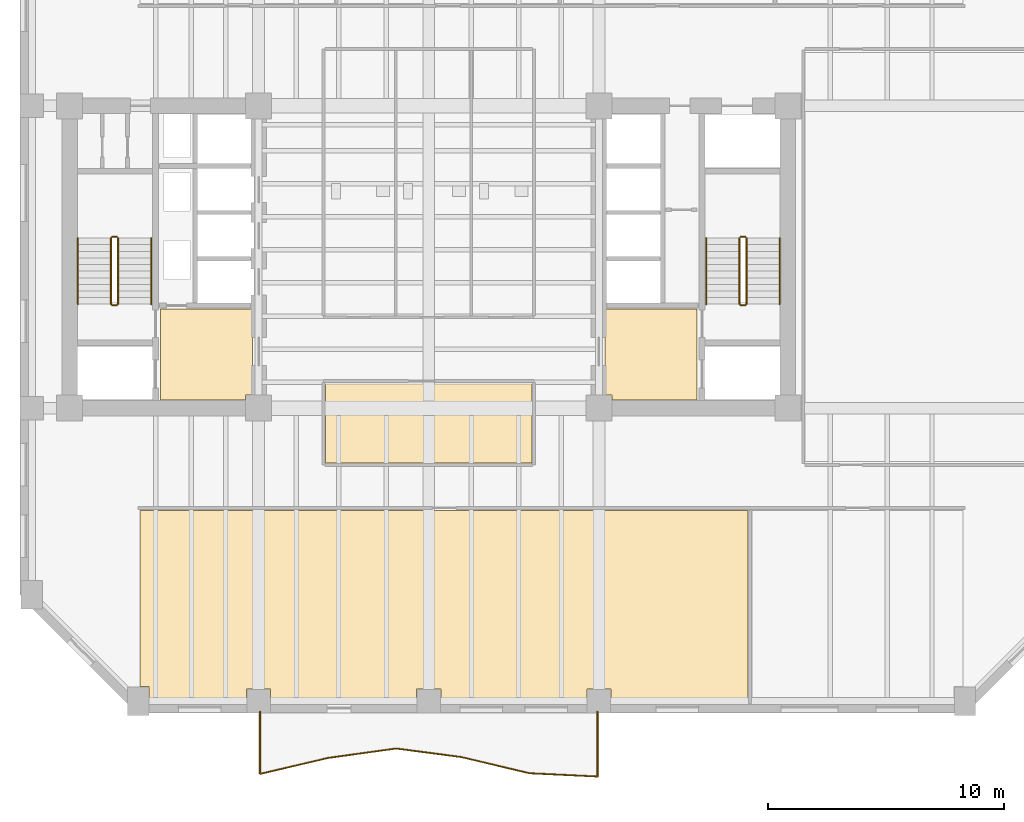
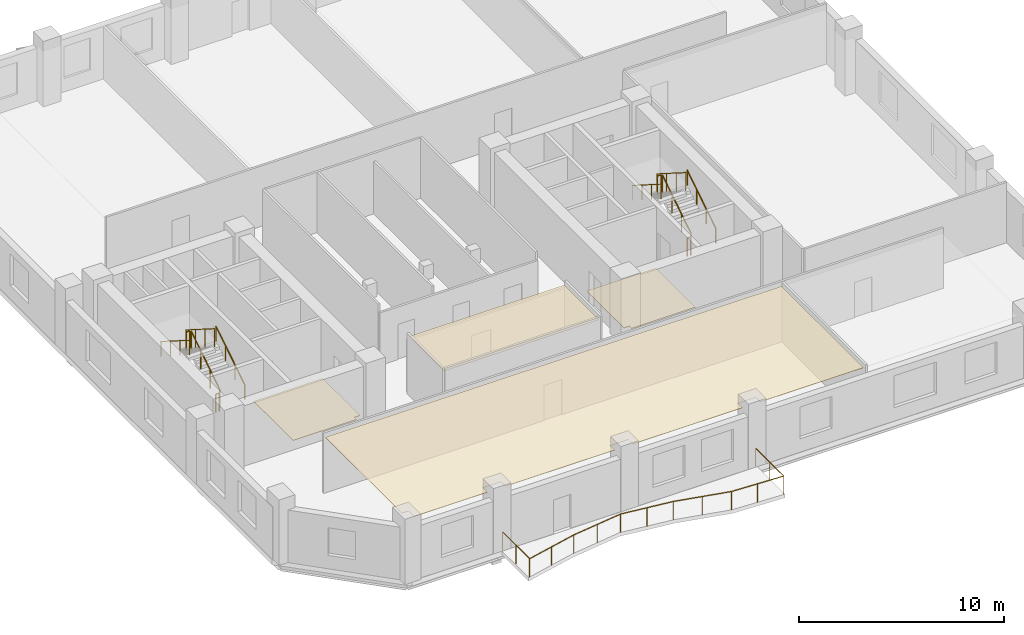
# One storey, part 6 of 8: 13 railings, 4 coverings.
"""IFC4 building model written with IfcOpenShell, lengths in metres."""

from ifc_helpers import new_model, si_unit, direction, frame, origin, origin_2d, place, context, subcontext, project, spatial, polyline, circle, outline, extrude, material, layer, layer_set, type_object, element, save


model = new_model("IFC4")

# Units and contexts
model_context = context("Model", 3, precision=1e-05, world=origin(), true_north=direction((0.0, 1.0)))
body_context = subcontext(model_context, "Body", "Model", "MODEL_VIEW")
ifc_project = project(units=[si_unit("LENGTHUNIT", "METRE"), si_unit("AREAUNIT", "SQUARE_METRE"), si_unit("VOLUMEUNIT", "CUBIC_METRE"), si_unit("PLANEANGLEUNIT", "RADIAN"), si_unit("MASSUNIT", "GRAM", prefix="KILO")], contexts=[model_context])

# Site, building, storey
site_placement = place(None, origin())
site = spatial("IfcSite", under=ifc_project, at=site_placement, CompositionType="ELEMENT")
building_placement = place(site_placement, origin())
building = spatial("IfcBuilding", under=site, at=building_placement, Name="Kranthara Brick Stack", CompositionType="ELEMENT")
storey_placement = place(building_placement, frame((0.0, 0.0, 75.0)))
storey = spatial("IfcBuildingStorey", under=building, at=storey_placement, Name="L18", CompositionType="ELEMENT", Elevation=75.0)

# Coverings
ifc_material_1 = material(Name="Perforated mineral-fibre acoustic ceiling tile", Category="other")
ifc_layer_1 = layer(ifc_material_1, 0.02490234375)
ifc_layer_set_1 = layer_set([ifc_layer_1], Name="Perforated mineral-fibre acoustic ceiling tile")
covering_type_1 = type_object("IfcCoveringType", Name="COV-CEIL-ACOUSTIC", PredefinedType="CEILING", material=ifc_layer_set_1)
covering_1_placement = place(storey_placement, frame((0.0, 0.0, 3.330078125)))
element("IfcCovering", 1, at=covering_1_placement, inside=storey, type_object=covering_type_1, Name="L18 L18 Central Executive Briefing Room Acoustic Ceiling", PredefinedType="CEILING", context=body_context, shape_type="SweptSolid", body=[
    extrude(outline(polyline([(32.3701171875, 18.47998046875), (32.3701171875, 21.8798828125), (23.6298828125, 21.8798828125), (23.6298828125, 18.47998046875), (32.3701171875, 18.47998046875)])), origin(), (0.0, 0.0, 1.0), 0.02490234375),
])
covering_2_placement = place(storey_placement, frame((0.0, 0.0, 3.330078125)))
element("IfcCovering", 2, at=covering_2_placement, inside=storey, type_object=covering_type_1, Name="L18 L18 Open Plan Workspace 1 Acoustic Ceiling", PredefinedType="CEILING", context=body_context, shape_type="SweptSolid", body=[
    extrude(outline(polyline([(35.7099609375, 8.469970703125), (35.7099609375, 8.909912109375), (34.68994140625, 8.909912109375), (34.68994140625, 8.469970703125), (28.510009765625, 8.469970703125), (28.510009765625, 8.909912109375), (27.489990234375, 8.909912109375), (27.489990234375, 8.469970703125), (21.31005859375, 8.469970703125), (21.31005859375, 8.909912109375), (20.2900390625, 8.909912109375), (20.2900390625, 8.469970703125), (16.159912109375, 8.469970703125), (16.159912109375, 9.010009765625), (15.780029296875, 9.010009765625), (15.780029296875, 16.47998046875), (41.52001953125, 16.47998046875), (41.52001953125, 8.469970703125), (35.7099609375, 8.469970703125)])), origin(), (0.0, 0.0, 1.0), 0.02490234375),
])
ifc_material_2 = material(Name="Honed terrazzo and porcelain floor finish", Category="stone")
ifc_layer_2 = layer(ifc_material_2, 0.030029296875)
ifc_layer_set_2 = layer_set([ifc_layer_2], Name="Honed terrazzo and porcelain floor finish")
covering_type_2 = type_object("IfcCoveringType", Name="COV-FLOR-STONE", PredefinedType="FLOORING", material=ifc_layer_set_2)
covering_3_placement = place(storey_placement, origin())
element("IfcCovering", 3, at=covering_3_placement, inside=storey, type_object=covering_type_2, Name="L18 Lift Lobby Stone Flooring", PredefinedType="FLOORING", context=body_context, shape_type="SweptSolid", body=[
    extrude(outline(polyline([(16.64990234375, 21.14990234375), (16.64990234375, 25.0), (20.550048828125, 25.0), (20.550048828125, 21.360107421875), (20.239990234375, 21.360107421875), (20.239990234375, 21.14990234375), (16.64990234375, 21.14990234375)])), origin(), (0.0, 0.0, 1.0), 0.030029296875),
])
covering_4_placement = place(storey_placement, origin())
element("IfcCovering", 4, at=covering_4_placement, inside=storey, type_object=covering_type_2, Name="L18 Lift Lobby Stone Flooring", PredefinedType="FLOORING", context=body_context, shape_type="SweptSolid", body=[
    extrude(outline(polyline([(35.449951171875, 25.0), (39.35009765625, 25.0), (39.35009765625, 21.14990234375), (35.760009765625, 21.14990234375), (35.760009765625, 21.360107421875), (35.449951171875, 21.360107421875), (35.449951171875, 25.0)])), origin(), (0.0, 0.0, 1.0), 0.030029296875),
])

# Railings
ifc_material_3 = material(Name="Bronze anodised aluminium and laminated glass balustrade", Category="aluminium")
railing_type_1 = type_object("IfcRailingType", Name="RL-BALC-1120", PredefinedType="BALUSTRADE", material=ifc_material_3)
railing_1_placement = place(storey_placement, frame((35.139892578125, 7.9599609375, 0.0)))
element("IfcRailing", 5, at=railing_1_placement, inside=storey, type_object=railing_type_1, Name="L18 South Rippling Balcony Balustrade", PredefinedType="BALUSTRADE", context=body_context, shape_type="SweptSolid", body=[
    extrude(circle(Radius=0.02392578125, at=origin_2d()), frame((0.0, 0.0, 1.09619140625), z_axis=(0.000266193424, -0.999999964571, 0.0), x_axis=(0.999999964571, 0.000266193424, 0.0)), (0.0, 0.0, 1.0), 2.75146484375),
    extrude(circle(Radius=0.02392578125, at=origin_2d()), frame((0.000732421875, -2.75146484375, 1.09619140625), z_axis=(-0.998850441051, 0.047935335733, 0.0), x_axis=(-0.047935335733, -0.998850441051, 0.0)), (0.0, 0.0, 1.0), 2.8828125),
    extrude(circle(Radius=0.02392578125, at=origin_2d()), frame((-2.878662109375, -2.61328125, 1.09619140625), z_axis=(-0.972807099391, 0.23161681151, 0.0), x_axis=(-0.23161681151, -0.972807099391, 0.0)), (0.0, 0.0, 1.0), 2.9609375),
    extrude(circle(Radius=0.02392578125, at=origin_2d()), frame((-5.759033203125, -1.927490234375, 1.09619140625), z_axis=(-0.991546550264, 0.129751449548, 0.0), x_axis=(-0.129751449548, -0.991546550264, 0.0)), (0.0, 0.0, 1.0), 2.78466796875),
    extrude(circle(Radius=0.02392578125, at=origin_2d()), frame((-8.520263671875, -1.566162109375, 1.09619140625), z_axis=(-0.99052879215, -0.137305178056, 0.0), x_axis=(0.137305178056, -0.99052879215, 0.0)), (0.0, 0.0, 1.0), 2.9072265625),
    extrude(circle(Radius=0.02392578125, at=origin_2d()), frame((-11.39990234375, -1.96533203125, 1.09619140625), z_axis=(-0.973527437764, -0.228570181608, 0.0), x_axis=(0.228570181608, -0.973527437764, 0.0)), (0.0, 0.0, 1.0), 2.958740234375),
    extrude(circle(Radius=0.02392578125, at=origin_2d()), frame((-14.2802734375, -2.6416015625, 1.09619140625), z_axis=(0.00018484288, 0.999999982917, 0.0), x_axis=(-0.999999982917, 0.00018484288, 0.0)), (0.0, 0.0, 1.0), 2.6416015625),
    extrude(circle(Radius=0.02099609375, at=origin_2d()), origin(), (0.0, 0.0, 1.0), 1.072021484375),
    extrude(circle(Radius=0.02099609375, at=origin_2d()), frame((0.00048828125, -1.375732421875, 0.0)), (0.0, 0.0, 1.0), 1.072021484375),
    extrude(circle(Radius=0.02099609375, at=origin_2d()), frame((0.000732421875, -2.75146484375, 0.0)), (0.0, 0.0, 1.0), 1.072021484375),
    extrude(circle(Radius=0.02099609375, at=origin_2d()), frame((-1.43896484375, -2.682373046875, 0.0)), (0.0, 0.0, 1.0), 1.072021484375),
    extrude(circle(Radius=0.02099609375, at=origin_2d()), frame((-2.878662109375, -2.61328125, 0.0)), (0.0, 0.0, 1.0), 1.072021484375),
    extrude(circle(Radius=0.02099609375, at=origin_2d()), frame((-4.31884765625, -2.2705078125, 0.0)), (0.0, 0.0, 1.0), 1.072021484375),
    extrude(circle(Radius=0.02099609375, at=origin_2d()), frame((-5.759033203125, -1.927490234375, 0.0)), (0.0, 0.0, 1.0), 1.072021484375),
    extrude(circle(Radius=0.02099609375, at=origin_2d()), frame((-7.1396484375, -1.746826171875, 0.0)), (0.0, 0.0, 1.0), 1.072021484375),
    extrude(circle(Radius=0.02099609375, at=origin_2d()), frame((-8.520263671875, -1.566162109375, 0.0)), (0.0, 0.0, 1.0), 1.072021484375),
    extrude(circle(Radius=0.02099609375, at=origin_2d()), frame((-9.9599609375, -1.765625, 0.0)), (0.0, 0.0, 1.0), 1.072021484375),
    extrude(circle(Radius=0.02099609375, at=origin_2d()), frame((-11.39990234375, -1.96533203125, 0.0)), (0.0, 0.0, 1.0), 1.072021484375),
    extrude(circle(Radius=0.02099609375, at=origin_2d()), frame((-12.840087890625, -2.303466796875, 0.0)), (0.0, 0.0, 1.0), 1.072021484375),
    extrude(circle(Radius=0.02099609375, at=origin_2d()), frame((-14.2802734375, -2.6416015625, 0.0)), (0.0, 0.0, 1.0), 1.072021484375),
    extrude(circle(Radius=0.02099609375, at=origin_2d()), frame((-14.280029296875, -1.32080078125, 0.0)), (0.0, 0.0, 1.0), 1.072021484375),
    extrude(circle(Radius=0.02099609375, at=origin_2d()), frame((-14.27978515625, 0.0, 0.0)), (0.0, 0.0, 1.0), 1.072021484375),
])
ifc_material_4 = material(Name="Painted galvanized steel stair guardrail", Category="steel")
railing_type_2 = type_object("IfcRailingType", Name="RL-STAIR-GUARD-1100", PredefinedType="GUARDRAIL", material=ifc_material_4)
railing_2_placement = place(storey_placement, frame((14.85009765625, 25.199951171875, 0.17724609375)))
element("IfcRailing", 6, at=railing_2_placement, inside=storey, type_object=railing_type_2, Name="L18 ST01 stair guard 1", PredefinedType="GUARDRAIL", context=body_context, shape_type="SweptSolid", body=[
    extrude(circle(Radius=0.02392578125, at=origin_2d()), frame((0.0, 0.0, 1.076171875), z_axis=(0.0, 0.844908973607, 0.534910110503), x_axis=(-1.0, 0.0, 0.0)), (0.0, 0.0, 1.0), 3.31396484375),
    extrude(circle(Radius=0.02099609375, at=origin_2d()), origin(), (0.0, 0.0, 1.0), 1.052001953125),
    extrude(circle(Radius=0.02099609375, at=origin_2d()), frame((0.0, 0.933349609375, 0.5908203125)), (0.0, 0.0, 1.0), 1.052001953125),
    extrude(circle(Radius=0.02099609375, at=origin_2d()), frame((0.0, 1.86669921875, 1.181884765625)), (0.0, 0.0, 1.0), 1.052001953125),
    extrude(circle(Radius=0.02099609375, at=origin_2d()), frame((0.0, 2.800048828125, 1.772705078125)), (0.0, 0.0, 1.0), 1.052001953125),
])
railing_3_placement = place(storey_placement, frame((14.800048828125, 28.050048828125, 1.949951171875)))
element("IfcRailing", 7, at=railing_3_placement, inside=storey, type_object=railing_type_2, Name="L18 ST01 stair guard 2", PredefinedType="GUARDRAIL", context=body_context, shape_type="SweptSolid", body=[
    extrude(circle(Radius=0.02392578125, at=origin_2d()), frame((0.0, 0.0, 1.076171875), z_axis=(-1.0, 0.0, 0.0), x_axis=(0.0, -1.0, 0.0)), (0.0, 0.0, 1.0), 0.199951171875),
    extrude(circle(Radius=0.02099609375, at=origin_2d()), origin(), (0.0, 0.0, 1.0), 1.052001953125),
    extrude(circle(Radius=0.02099609375, at=origin_2d()), frame((-0.199951171875, 0.0, 0.0)), (0.0, 0.0, 1.0), 1.052001953125),
])
railing_4_placement = place(storey_placement, frame((14.550048828125, 28.0, 2.127197265625)))
element("IfcRailing", 8, at=railing_4_placement, inside=storey, type_object=railing_type_2, Name="L18 ST01 stair guard 3", PredefinedType="GUARDRAIL", context=body_context, shape_type="SweptSolid", body=[
    extrude(circle(Radius=0.02392578125, at=origin_2d()), frame((0.0, 0.0, 1.076171875), z_axis=(0.0, -0.844908973607, 0.534910110503), x_axis=(1.0, 0.0, 0.0)), (0.0, 0.0, 1.0), 3.31396484375),
    extrude(circle(Radius=0.02099609375, at=origin_2d()), origin(), (0.0, 0.0, 1.0), 1.052001953125),
    extrude(circle(Radius=0.02099609375, at=origin_2d()), frame((0.0, -0.933349609375, 0.5908203125)), (0.0, 0.0, 1.0), 1.052001953125),
    extrude(circle(Radius=0.02099609375, at=origin_2d()), frame((0.0, -1.86669921875, 1.181884765625)), (0.0, 0.0, 1.0), 1.052001953125),
    extrude(circle(Radius=0.02099609375, at=origin_2d()), frame((0.0, -2.800048828125, 1.772705078125)), (0.0, 0.0, 1.0), 1.052001953125),
])
railing_5_placement = place(storey_placement, frame((14.800048828125, 25.14990234375, 0.0)))
element("IfcRailing", 9, at=railing_5_placement, inside=storey, type_object=railing_type_2, Name="L18 ST01 stair guard 4", PredefinedType="GUARDRAIL", context=body_context, shape_type="SweptSolid", body=[
    extrude(circle(Radius=0.02392578125, at=origin_2d()), frame((0.0, 0.0, 1.076171875), z_axis=(-1.0, 0.0, 0.0), x_axis=(0.0, -1.0, 0.0)), (0.0, 0.0, 1.0), 0.199951171875),
    extrude(circle(Radius=0.02099609375, at=origin_2d()), origin(), (0.0, 0.0, 1.0), 1.052001953125),
    extrude(circle(Radius=0.02099609375, at=origin_2d()), frame((-0.199951171875, 0.0, 0.0)), (0.0, 0.0, 1.0), 1.052001953125),
])
railing_6_placement = place(storey_placement, frame((41.449951171875, 25.199951171875, 0.17724609375)))
element("IfcRailing", 10, at=railing_6_placement, inside=storey, type_object=railing_type_2, Name="L18 ST02 stair guard 1", PredefinedType="GUARDRAIL", context=body_context, shape_type="SweptSolid", body=[
    extrude(circle(Radius=0.02392578125, at=origin_2d()), frame((0.0, 0.0, 1.076171875), z_axis=(0.0, 0.844908973607, 0.534910110503), x_axis=(-1.0, 0.0, 0.0)), (0.0, 0.0, 1.0), 3.31396484375),
    extrude(circle(Radius=0.02099609375, at=origin_2d()), origin(), (0.0, 0.0, 1.0), 1.052001953125),
    extrude(circle(Radius=0.02099609375, at=origin_2d()), frame((0.0, 0.933349609375, 0.5908203125)), (0.0, 0.0, 1.0), 1.052001953125),
    extrude(circle(Radius=0.02099609375, at=origin_2d()), frame((0.0, 1.86669921875, 1.181884765625)), (0.0, 0.0, 1.0), 1.052001953125),
    extrude(circle(Radius=0.02099609375, at=origin_2d()), frame((0.0, 2.800048828125, 1.772705078125)), (0.0, 0.0, 1.0), 1.052001953125),
])
railing_7_placement = place(storey_placement, frame((41.39990234375, 28.050048828125, 1.949951171875)))
element("IfcRailing", 11, at=railing_7_placement, inside=storey, type_object=railing_type_2, Name="L18 ST02 stair guard 2", PredefinedType="GUARDRAIL", context=body_context, shape_type="SweptSolid", body=[
    extrude(circle(Radius=0.02392578125, at=origin_2d()), frame((0.0, 0.0, 1.076171875), z_axis=(-1.0, 0.0, 0.0), x_axis=(0.0, -1.0, 0.0)), (0.0, 0.0, 1.0), 0.199951171875),
    extrude(circle(Radius=0.02099609375, at=origin_2d()), origin(), (0.0, 0.0, 1.0), 1.052001953125),
    extrude(circle(Radius=0.02099609375, at=origin_2d()), frame((-0.199951171875, 0.0, 0.0)), (0.0, 0.0, 1.0), 1.052001953125),
])
railing_8_placement = place(storey_placement, frame((41.14990234375, 28.0, 2.127197265625)))
element("IfcRailing", 12, at=railing_8_placement, inside=storey, type_object=railing_type_2, Name="L18 ST02 stair guard 3", PredefinedType="GUARDRAIL", context=body_context, shape_type="SweptSolid", body=[
    extrude(circle(Radius=0.02392578125, at=origin_2d()), frame((0.0, 0.0, 1.076171875), z_axis=(0.0, -0.844908973607, 0.534910110503), x_axis=(1.0, 0.0, 0.0)), (0.0, 0.0, 1.0), 3.31396484375),
    extrude(circle(Radius=0.02099609375, at=origin_2d()), origin(), (0.0, 0.0, 1.0), 1.052001953125),
    extrude(circle(Radius=0.02099609375, at=origin_2d()), frame((0.0, -0.933349609375, 0.5908203125)), (0.0, 0.0, 1.0), 1.052001953125),
    extrude(circle(Radius=0.02099609375, at=origin_2d()), frame((0.0, -1.86669921875, 1.181884765625)), (0.0, 0.0, 1.0), 1.052001953125),
    extrude(circle(Radius=0.02099609375, at=origin_2d()), frame((0.0, -2.800048828125, 1.772705078125)), (0.0, 0.0, 1.0), 1.052001953125),
])
railing_9_placement = place(storey_placement, frame((41.39990234375, 25.14990234375, 0.0)))
element("IfcRailing", 13, at=railing_9_placement, inside=storey, type_object=railing_type_2, Name="L18 ST02 stair guard 4", PredefinedType="GUARDRAIL", context=body_context, shape_type="SweptSolid", body=[
    extrude(circle(Radius=0.02392578125, at=origin_2d()), frame((0.0, 0.0, 1.076171875), z_axis=(-1.0, 0.0, 0.0), x_axis=(0.0, -1.0, 0.0)), (0.0, 0.0, 1.0), 0.199951171875),
    extrude(circle(Radius=0.02099609375, at=origin_2d()), origin(), (0.0, 0.0, 1.0), 1.052001953125),
    extrude(circle(Radius=0.02099609375, at=origin_2d()), frame((-0.199951171875, 0.0, 0.0)), (0.0, 0.0, 1.0), 1.052001953125),
])
ifc_material_5 = material(Name="Brushed stainless steel tubular handrail", Category="steel")
railing_type_3 = type_object("IfcRailingType", Name="RL-STAIR-HAND-900", PredefinedType="HANDRAIL", material=ifc_material_5)
railing_10_placement = place(storey_placement, frame((16.25, 25.199951171875, 0.17724609375)))
element("IfcRailing", 14, at=railing_10_placement, inside=storey, type_object=railing_type_3, Name="L18 ST01 stair handrail 1", PredefinedType="HANDRAIL", context=body_context, shape_type="SweptSolid", body=[
    extrude(circle(Radius=0.02392578125, at=origin_2d()), frame((0.0, 0.0, 0.8759765625), z_axis=(0.0, 0.844908973607, 0.534910110503), x_axis=(-1.0, 0.0, 0.0)), (0.0, 0.0, 1.0), 3.31396484375),
    extrude(circle(Radius=0.02099609375, at=origin_2d()), origin(), (0.0, 0.0, 1.0), 0.851806640625),
    extrude(circle(Radius=0.02099609375, at=origin_2d()), frame((0.0, 0.933349609375, 0.5908203125)), (0.0, 0.0, 1.0), 0.851806640625),
    extrude(circle(Radius=0.02099609375, at=origin_2d()), frame((0.0, 1.86669921875, 1.181884765625)), (0.0, 0.0, 1.0), 0.851806640625),
    extrude(circle(Radius=0.02099609375, at=origin_2d()), frame((0.0, 2.800048828125, 1.772705078125)), (0.0, 0.0, 1.0), 0.851806640625),
])
railing_11_placement = place(storey_placement, frame((13.14990234375, 28.0, 2.127197265625)))
element("IfcRailing", 15, at=railing_11_placement, inside=storey, type_object=railing_type_3, Name="L18 ST01 stair handrail 2", PredefinedType="HANDRAIL", context=body_context, shape_type="SweptSolid", body=[
    extrude(circle(Radius=0.02392578125, at=origin_2d()), frame((0.0, 0.0, 0.8759765625), z_axis=(0.0, -0.844908973607, 0.534910110503), x_axis=(1.0, 0.0, 0.0)), (0.0, 0.0, 1.0), 3.31396484375),
    extrude(circle(Radius=0.02099609375, at=origin_2d()), origin(), (0.0, 0.0, 1.0), 0.851806640625),
    extrude(circle(Radius=0.02099609375, at=origin_2d()), frame((0.0, -0.933349609375, 0.5908203125)), (0.0, 0.0, 1.0), 0.851806640625),
    extrude(circle(Radius=0.02099609375, at=origin_2d()), frame((0.0, -1.86669921875, 1.181884765625)), (0.0, 0.0, 1.0), 0.851806640625),
    extrude(circle(Radius=0.02099609375, at=origin_2d()), frame((0.0, -2.800048828125, 1.772705078125)), (0.0, 0.0, 1.0), 0.851806640625),
])
railing_12_placement = place(storey_placement, frame((42.85009765625, 25.199951171875, 0.17724609375)))
element("IfcRailing", 16, at=railing_12_placement, inside=storey, type_object=railing_type_3, Name="L18 ST02 stair handrail 1", PredefinedType="HANDRAIL", context=body_context, shape_type="SweptSolid", body=[
    extrude(circle(Radius=0.02392578125, at=origin_2d()), frame((0.0, 0.0, 0.8759765625), z_axis=(0.0, 0.844908973607, 0.534910110503), x_axis=(-1.0, 0.0, 0.0)), (0.0, 0.0, 1.0), 3.31396484375),
    extrude(circle(Radius=0.02099609375, at=origin_2d()), origin(), (0.0, 0.0, 1.0), 0.851806640625),
    extrude(circle(Radius=0.02099609375, at=origin_2d()), frame((0.0, 0.933349609375, 0.5908203125)), (0.0, 0.0, 1.0), 0.851806640625),
    extrude(circle(Radius=0.02099609375, at=origin_2d()), frame((0.0, 1.86669921875, 1.181884765625)), (0.0, 0.0, 1.0), 0.851806640625),
    extrude(circle(Radius=0.02099609375, at=origin_2d()), frame((0.0, 2.800048828125, 1.772705078125)), (0.0, 0.0, 1.0), 0.851806640625),
])
railing_13_placement = place(storey_placement, frame((39.75, 28.0, 2.127197265625)))
element("IfcRailing", 17, at=railing_13_placement, inside=storey, type_object=railing_type_3, Name="L18 ST02 stair handrail 2", PredefinedType="HANDRAIL", context=body_context, shape_type="SweptSolid", body=[
    extrude(circle(Radius=0.02392578125, at=origin_2d()), frame((0.0, 0.0, 0.8759765625), z_axis=(0.0, -0.844908973607, 0.534910110503), x_axis=(1.0, 0.0, 0.0)), (0.0, 0.0, 1.0), 3.31396484375),
    extrude(circle(Radius=0.02099609375, at=origin_2d()), origin(), (0.0, 0.0, 1.0), 0.851806640625),
    extrude(circle(Radius=0.02099609375, at=origin_2d()), frame((0.0, -0.933349609375, 0.5908203125)), (0.0, 0.0, 1.0), 0.851806640625),
    extrude(circle(Radius=0.02099609375, at=origin_2d()), frame((0.0, -1.86669921875, 1.181884765625)), (0.0, 0.0, 1.0), 0.851806640625),
    extrude(circle(Radius=0.02099609375, at=origin_2d()), frame((0.0, -2.800048828125, 1.772705078125)), (0.0, 0.0, 1.0), 0.851806640625),
])

save(model, "model.ifc")
